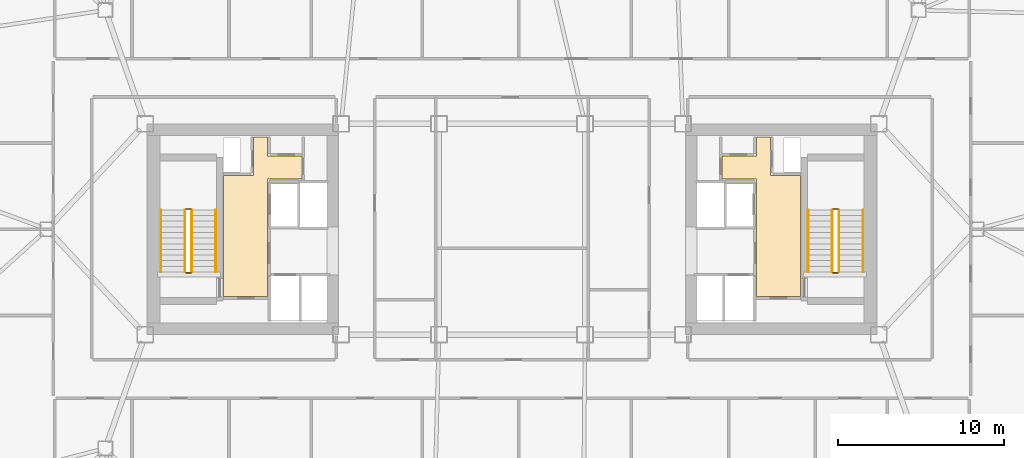
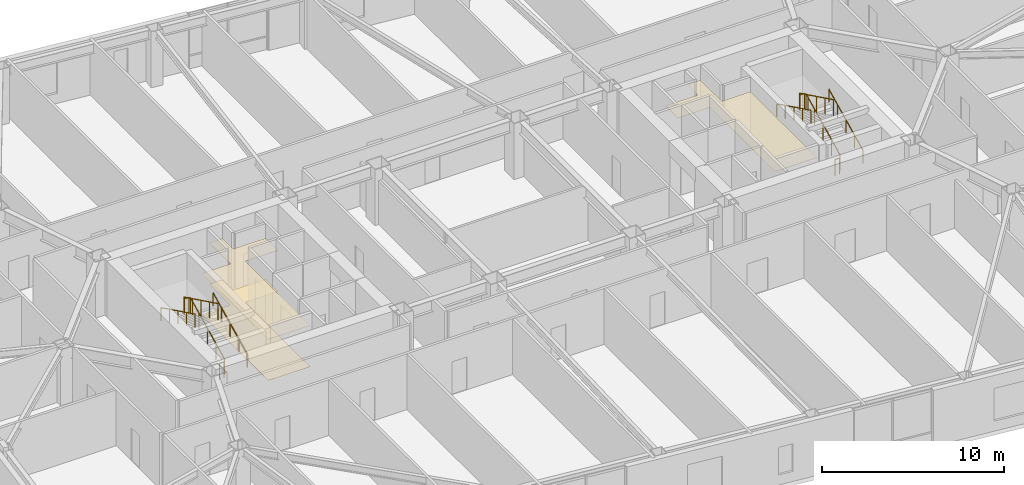
# One storey, part 21 of 21: 12 railings, 3 coverings.
"""IFC4 building model written with IfcOpenShell, lengths in metres."""

from ifc_helpers import new_model, si_unit, direction, frame, origin, origin_2d, place, context, subcontext, project, spatial, polyline, rectangle, outline, extrude, material, layer, layer_set, type_object, element, save


model = new_model("IFC4")

# Units and contexts
model_context = context("Model", 3, precision=1e-05, world=origin(), true_north=direction((0.0, 1.0)))
body_context = subcontext(model_context, "Body", "Model", "MODEL_VIEW")
ifc_project = project(units=[si_unit("LENGTHUNIT", "METRE"), si_unit("AREAUNIT", "SQUARE_METRE"), si_unit("VOLUMEUNIT", "CUBIC_METRE"), si_unit("PLANEANGLEUNIT", "RADIAN"), si_unit("MASSUNIT", "GRAM", prefix="KILO")], contexts=[model_context])

# Site, building, storey
site_placement = place(None, origin())
site = spatial("IfcSite", under=ifc_project, at=site_placement, CompositionType="ELEMENT")
building_placement = place(site_placement, origin())
building = spatial("IfcBuilding", under=site, at=building_placement, Name="Tavrogorsk Clinical Tower", CompositionType="ELEMENT")
storey_placement = place(building_placement, frame((0.0, 0.0, 129.39990234375)))
storey = spatial("IfcBuildingStorey", under=building, at=storey_placement, Name="L29", CompositionType="ELEMENT", Elevation=129.39990234375)

# Coverings
ifc_material_1 = material(Name="Antibacterial micro-perforated aluminium ceiling", Category="aluminium")
ifc_layer_1 = layer(ifc_material_1, 0.014892578125)
ifc_layer_set_1 = layer_set([ifc_layer_1], Name="Antibacterial micro-perforated aluminium ceiling")
covering_type_1 = type_object("IfcCoveringType", Name="ClinicalCeiling_15", PredefinedType="CEILING", material=ifc_layer_set_1)
covering_1_placement = place(storey_placement, frame((0.0, 0.0, 2.75)))
element("IfcCovering", 1, at=covering_1_placement, inside=storey, type_object=covering_type_1, Name="Core West Firefighting Lift Lobby Acoustic Ceiling", PredefinedType="CEILING", context=body_context, shape_type="SweptSolid", body=[
    extrude(outline(polyline([(-17.3798828125, -4.06005859375), (-17.3798828125, 3.239990234375), (-15.56005859375, 3.239990234375), (-15.56005859375, 5.56005859375), (-14.719970703125, 5.56005859375), (-14.719970703125, 4.39990234375), (-12.659912109375, 4.39990234375), (-12.659912109375, 3.0400390625), (-14.719970703125, 3.0400390625), (-14.719970703125, -4.06005859375), (-17.3798828125, -4.06005859375)])), origin(), (0.0, 0.0, 1.0), 0.01513671875),
])
covering_2_placement = place(storey_placement, frame((0.0, 0.0, 2.75)))
element("IfcCovering", 2, at=covering_2_placement, inside=storey, type_object=covering_type_1, Name="Core East Firefighting Lift Lobby Acoustic Ceiling", PredefinedType="CEILING", context=body_context, shape_type="SweptSolid", body=[
    extrude(outline(polyline([(14.719970703125, 3.0400390625), (12.659912109375, 3.0400390625), (12.659912109375, 4.39990234375), (14.719970703125, 4.39990234375), (14.719970703125, 5.56005859375), (15.56005859375, 5.56005859375), (15.56005859375, 3.239990234375), (17.3798828125, 3.239990234375), (17.3798828125, -4.06005859375), (14.719970703125, -4.06005859375), (14.719970703125, 3.0400390625)])), origin(), (0.0, 0.0, 1.0), 0.01513671875),
])
ifc_material_2 = material(Name="Homogeneous medical conductive PVC flooring")
ifc_layer_2 = layer(ifc_material_2, 0.008056640625)
ifc_layer_set_2 = layer_set([ifc_layer_2], Name="Homogeneous medical conductive PVC flooring")
covering_type_2 = type_object("IfcCoveringType", Name="ResilientVinylFloor_8", PredefinedType="FLOORING", material=ifc_layer_set_2)
covering_3_placement = place(storey_placement, origin())
element("IfcCovering", 3, at=covering_3_placement, inside=storey, type_object=covering_type_2, Name="Core West Firefighting Lift Lobby Conductive Vinyl Flooring", PredefinedType="FLOORING", context=body_context, shape_type="SweptSolid", body=[
    extrude(outline(polyline([(-17.3798828125, -4.06005859375), (-17.3798828125, 3.239990234375), (-15.56005859375, 3.239990234375), (-15.56005859375, 5.56005859375), (-14.719970703125, 5.56005859375), (-14.719970703125, 4.39990234375), (-12.659912109375, 4.39990234375), (-12.659912109375, 3.0400390625), (-14.719970703125, 3.0400390625), (-14.719970703125, -4.06005859375), (-17.3798828125, -4.06005859375)])), origin(), (0.0, 0.0, 1.0), 0.008056640625),
])

# Railings
ifc_material_3 = material(Name="Galvanised steel S355 safety stairwell guard", Category="steel")
ifc_layer_3 = layer(ifc_material_3, 0.06005859375)
ifc_layer_set_3 = layer_set([ifc_layer_3], Name="Galvanised steel S355 safety stairwell guard")
railing_type_1 = type_object("IfcRailingType", Name="StairGuard_1150", PredefinedType="GUARDRAIL", material=ifc_layer_set_3)
railing_1_placement = place(storey_placement, frame((-19.300048828125, -2.574951171875, 0.166748046875)))
element("IfcRailing", 4, at=railing_1_placement, inside=storey, type_object=railing_type_1, Name="L29 ST-W stair guard 1", PredefinedType="GUARDRAIL", context=body_context, shape_type="SweptSolid", body=[
    extrude(rectangle(XDim=0.048095703125, YDim=0.048095703125, at=origin_2d()), frame((0.0, 0.0, 1.076171875), z_axis=(0.0, 0.897927990467, 0.440142390523), x_axis=(-1.0, 0.0, 0.0)), (0.0, 0.0, 1.0), 4.1650390625),
    extrude(rectangle(XDim=0.0419921875, YDim=0.0419921875, at=origin_2d()), origin(), (0.0, 0.0, 1.0), 1.052001953125),
    extrude(rectangle(XDim=0.0419921875, YDim=0.0419921875, at=origin_2d()), frame((0.0, 0.93505859375, 0.458251953125)), (0.0, 0.0, 1.0), 1.052001953125),
    extrude(rectangle(XDim=0.0419921875, YDim=0.0419921875, at=origin_2d()), frame((0.0, 1.8701171875, 0.91650390625)), (0.0, 0.0, 1.0), 1.052001953125),
    extrude(rectangle(XDim=0.0419921875, YDim=0.0419921875, at=origin_2d()), frame((0.0, 2.804931640625, 1.375)), (0.0, 0.0, 1.0), 1.052001953125),
    extrude(rectangle(XDim=0.0419921875, YDim=0.0419921875, at=origin_2d()), frame((0.0, 3.739990234375, 1.833251953125)), (0.0, 0.0, 1.0), 1.052001953125),
])
railing_2_placement = place(storey_placement, frame((-19.35009765625, 1.215087890625, 2.0)))
element("IfcRailing", 5, at=railing_2_placement, inside=storey, type_object=railing_type_1, Name="L29 ST-W stair guard 2", PredefinedType="GUARDRAIL", context=body_context, shape_type="SweptSolid", body=[
    extrude(rectangle(XDim=0.048095703125, YDim=0.048095703125, at=origin_2d()), frame((0.0, 0.0, 1.076171875), z_axis=(-1.0, 0.0, 0.0), x_axis=(0.0, -1.0, 0.0)), (0.0, 0.0, 1.0), 0.2998046875),
    extrude(rectangle(XDim=0.0419921875, YDim=0.0419921875, at=origin_2d()), origin(), (0.0, 0.0, 1.0), 1.052001953125),
    extrude(rectangle(XDim=0.0419921875, YDim=0.0419921875, at=origin_2d()), frame((-0.2998046875, 0.0, 0.0)), (0.0, 0.0, 1.0), 1.052001953125),
])
railing_3_placement = place(storey_placement, frame((-19.699951171875, 1.1650390625, 2.166748046875)))
element("IfcRailing", 6, at=railing_3_placement, inside=storey, type_object=railing_type_1, Name="L29 ST-W stair guard 3", PredefinedType="GUARDRAIL", context=body_context, shape_type="SweptSolid", body=[
    extrude(rectangle(XDim=0.048095703125, YDim=0.048095703125, at=origin_2d()), frame((0.0, 0.0, 1.076171875), z_axis=(0.0, -0.897927990467, 0.440142390523), x_axis=(1.0, 0.0, 0.0)), (0.0, 0.0, 1.0), 4.1650390625),
    extrude(rectangle(XDim=0.0419921875, YDim=0.0419921875, at=origin_2d()), origin(), (0.0, 0.0, 1.0), 1.052001953125),
    extrude(rectangle(XDim=0.0419921875, YDim=0.0419921875, at=origin_2d()), frame((0.0, -0.93505859375, 0.458251953125)), (0.0, 0.0, 1.0), 1.052001953125),
    extrude(rectangle(XDim=0.0419921875, YDim=0.0419921875, at=origin_2d()), frame((0.0, -1.8701171875, 0.91650390625)), (0.0, 0.0, 1.0), 1.052001953125),
    extrude(rectangle(XDim=0.0419921875, YDim=0.0419921875, at=origin_2d()), frame((0.0, -2.804931640625, 1.375)), (0.0, 0.0, 1.0), 1.052001953125),
    extrude(rectangle(XDim=0.0419921875, YDim=0.0419921875, at=origin_2d()), frame((0.0, -3.739990234375, 1.833251953125)), (0.0, 0.0, 1.0), 1.052001953125),
])
railing_4_placement = place(storey_placement, frame((-19.35009765625, -2.625, 0.0)))
element("IfcRailing", 7, at=railing_4_placement, inside=storey, type_object=railing_type_1, Name="L29 ST-W stair guard 4", PredefinedType="GUARDRAIL", context=body_context, shape_type="SweptSolid", body=[
    extrude(rectangle(XDim=0.048095703125, YDim=0.048095703125, at=origin_2d()), frame((0.0, 0.0, 1.076171875), z_axis=(-1.0, 0.0, 0.0), x_axis=(0.0, -1.0, 0.0)), (0.0, 0.0, 1.0), 0.2998046875),
    extrude(rectangle(XDim=0.0419921875, YDim=0.0419921875, at=origin_2d()), origin(), (0.0, 0.0, 1.0), 1.052001953125),
    extrude(rectangle(XDim=0.0419921875, YDim=0.0419921875, at=origin_2d()), frame((-0.2998046875, 0.0, 0.0)), (0.0, 0.0, 1.0), 1.052001953125),
])
railing_5_placement = place(storey_placement, frame((19.699951171875, -2.574951171875, 0.166748046875)))
element("IfcRailing", 8, at=railing_5_placement, inside=storey, type_object=railing_type_1, Name="L29 ST-E stair guard 1", PredefinedType="GUARDRAIL", context=body_context, shape_type="SweptSolid", body=[
    extrude(rectangle(XDim=0.048095703125, YDim=0.048095703125, at=origin_2d()), frame((0.0, 0.0, 1.076171875), z_axis=(0.0, 0.897927990467, 0.440142390523), x_axis=(-1.0, 0.0, 0.0)), (0.0, 0.0, 1.0), 4.1650390625),
    extrude(rectangle(XDim=0.0419921875, YDim=0.0419921875, at=origin_2d()), origin(), (0.0, 0.0, 1.0), 1.052001953125),
    extrude(rectangle(XDim=0.0419921875, YDim=0.0419921875, at=origin_2d()), frame((0.0, 0.93505859375, 0.458251953125)), (0.0, 0.0, 1.0), 1.052001953125),
    extrude(rectangle(XDim=0.0419921875, YDim=0.0419921875, at=origin_2d()), frame((0.0, 1.8701171875, 0.91650390625)), (0.0, 0.0, 1.0), 1.052001953125),
    extrude(rectangle(XDim=0.0419921875, YDim=0.0419921875, at=origin_2d()), frame((0.0, 2.804931640625, 1.375)), (0.0, 0.0, 1.0), 1.052001953125),
    extrude(rectangle(XDim=0.0419921875, YDim=0.0419921875, at=origin_2d()), frame((0.0, 3.739990234375, 1.833251953125)), (0.0, 0.0, 1.0), 1.052001953125),
])
railing_6_placement = place(storey_placement, frame((19.64990234375, 1.215087890625, 2.0)))
element("IfcRailing", 9, at=railing_6_placement, inside=storey, type_object=railing_type_1, Name="L29 ST-E stair guard 2", PredefinedType="GUARDRAIL", context=body_context, shape_type="SweptSolid", body=[
    extrude(rectangle(XDim=0.048095703125, YDim=0.048095703125, at=origin_2d()), frame((0.0, 0.0, 1.076171875), z_axis=(-1.0, 0.0, 0.0), x_axis=(0.0, -1.0, 0.0)), (0.0, 0.0, 1.0), 0.2998046875),
    extrude(rectangle(XDim=0.0419921875, YDim=0.0419921875, at=origin_2d()), origin(), (0.0, 0.0, 1.0), 1.052001953125),
    extrude(rectangle(XDim=0.0419921875, YDim=0.0419921875, at=origin_2d()), frame((-0.2998046875, 0.0, 0.0)), (0.0, 0.0, 1.0), 1.052001953125),
])
railing_7_placement = place(storey_placement, frame((19.300048828125, 1.1650390625, 2.166748046875)))
element("IfcRailing", 10, at=railing_7_placement, inside=storey, type_object=railing_type_1, Name="L29 ST-E stair guard 3", PredefinedType="GUARDRAIL", context=body_context, shape_type="SweptSolid", body=[
    extrude(rectangle(XDim=0.048095703125, YDim=0.048095703125, at=origin_2d()), frame((0.0, 0.0, 1.076171875), z_axis=(0.0, -0.897927990467, 0.440142390523), x_axis=(1.0, 0.0, 0.0)), (0.0, 0.0, 1.0), 4.1650390625),
    extrude(rectangle(XDim=0.0419921875, YDim=0.0419921875, at=origin_2d()), origin(), (0.0, 0.0, 1.0), 1.052001953125),
    extrude(rectangle(XDim=0.0419921875, YDim=0.0419921875, at=origin_2d()), frame((0.0, -0.93505859375, 0.458251953125)), (0.0, 0.0, 1.0), 1.052001953125),
    extrude(rectangle(XDim=0.0419921875, YDim=0.0419921875, at=origin_2d()), frame((0.0, -1.8701171875, 0.91650390625)), (0.0, 0.0, 1.0), 1.052001953125),
    extrude(rectangle(XDim=0.0419921875, YDim=0.0419921875, at=origin_2d()), frame((0.0, -2.804931640625, 1.375)), (0.0, 0.0, 1.0), 1.052001953125),
    extrude(rectangle(XDim=0.0419921875, YDim=0.0419921875, at=origin_2d()), frame((0.0, -3.739990234375, 1.833251953125)), (0.0, 0.0, 1.0), 1.052001953125),
])
railing_8_placement = place(storey_placement, frame((19.64990234375, -2.625, 0.0)))
element("IfcRailing", 11, at=railing_8_placement, inside=storey, type_object=railing_type_1, Name="L29 ST-E stair guard 4", PredefinedType="GUARDRAIL", context=body_context, shape_type="SweptSolid", body=[
    extrude(rectangle(XDim=0.048095703125, YDim=0.048095703125, at=origin_2d()), frame((0.0, 0.0, 1.076171875), z_axis=(-1.0, 0.0, 0.0), x_axis=(0.0, -1.0, 0.0)), (0.0, 0.0, 1.0), 0.2998046875),
    extrude(rectangle(XDim=0.0419921875, YDim=0.0419921875, at=origin_2d()), origin(), (0.0, 0.0, 1.0), 1.052001953125),
    extrude(rectangle(XDim=0.0419921875, YDim=0.0419921875, at=origin_2d()), frame((-0.2998046875, 0.0, 0.0)), (0.0, 0.0, 1.0), 1.052001953125),
])
ifc_material_4 = material(Name="Stainless steel AISI 304 tubular handrail", Category="steel")
ifc_layer_4 = layer(ifc_material_4, 0.050048828125)
ifc_layer_set_4 = layer_set([ifc_layer_4], Name="Stainless steel AISI 304 tubular handrail")
railing_type_2 = type_object("IfcRailingType", Name="StairHandrail_920", PredefinedType="HANDRAIL", material=ifc_layer_set_4)
railing_9_placement = place(storey_placement, frame((-17.85009765625, -2.574951171875, 0.166748046875)))
element("IfcRailing", 12, at=railing_9_placement, inside=storey, type_object=railing_type_2, Name="L29 ST-W stair handrail 1", PredefinedType="HANDRAIL", context=body_context, shape_type="SweptSolid", body=[
    extrude(rectangle(XDim=0.048095703125, YDim=0.048095703125, at=origin_2d()), frame((0.0, 0.0, 0.8759765625), z_axis=(0.0, 0.897927990467, 0.440142390523), x_axis=(-1.0, 0.0, 0.0)), (0.0, 0.0, 1.0), 4.1650390625),
    extrude(rectangle(XDim=0.0419921875, YDim=0.0419921875, at=origin_2d()), origin(), (0.0, 0.0, 1.0), 0.851806640625),
    extrude(rectangle(XDim=0.0419921875, YDim=0.0419921875, at=origin_2d()), frame((0.0, 0.93505859375, 0.458251953125)), (0.0, 0.0, 1.0), 0.851806640625),
    extrude(rectangle(XDim=0.0419921875, YDim=0.0419921875, at=origin_2d()), frame((0.0, 1.8701171875, 0.91650390625)), (0.0, 0.0, 1.0), 0.851806640625),
    extrude(rectangle(XDim=0.0419921875, YDim=0.0419921875, at=origin_2d()), frame((0.0, 2.804931640625, 1.375)), (0.0, 0.0, 1.0), 0.851806640625),
    extrude(rectangle(XDim=0.0419921875, YDim=0.0419921875, at=origin_2d()), frame((0.0, 3.739990234375, 1.833251953125)), (0.0, 0.0, 1.0), 0.851806640625),
])
railing_10_placement = place(storey_placement, frame((-21.14990234375, 1.1650390625, 2.166748046875)))
element("IfcRailing", 13, at=railing_10_placement, inside=storey, type_object=railing_type_2, Name="L29 ST-W stair handrail 2", PredefinedType="HANDRAIL", context=body_context, shape_type="SweptSolid", body=[
    extrude(rectangle(XDim=0.048095703125, YDim=0.048095703125, at=origin_2d()), frame((0.0, 0.0, 0.8759765625), z_axis=(0.0, -0.897927990467, 0.440142390523), x_axis=(1.0, 0.0, 0.0)), (0.0, 0.0, 1.0), 4.1650390625),
    extrude(rectangle(XDim=0.0419921875, YDim=0.0419921875, at=origin_2d()), origin(), (0.0, 0.0, 1.0), 0.851806640625),
    extrude(rectangle(XDim=0.0419921875, YDim=0.0419921875, at=origin_2d()), frame((0.0, -0.93505859375, 0.458251953125)), (0.0, 0.0, 1.0), 0.851806640625),
    extrude(rectangle(XDim=0.0419921875, YDim=0.0419921875, at=origin_2d()), frame((0.0, -1.8701171875, 0.91650390625)), (0.0, 0.0, 1.0), 0.851806640625),
    extrude(rectangle(XDim=0.0419921875, YDim=0.0419921875, at=origin_2d()), frame((0.0, -2.804931640625, 1.375)), (0.0, 0.0, 1.0), 0.851806640625),
    extrude(rectangle(XDim=0.0419921875, YDim=0.0419921875, at=origin_2d()), frame((0.0, -3.739990234375, 1.833251953125)), (0.0, 0.0, 1.0), 0.851806640625),
])
railing_11_placement = place(storey_placement, frame((21.14990234375, -2.574951171875, 0.166748046875)))
element("IfcRailing", 14, at=railing_11_placement, inside=storey, type_object=railing_type_2, Name="L29 ST-E stair handrail 1", PredefinedType="HANDRAIL", context=body_context, shape_type="SweptSolid", body=[
    extrude(rectangle(XDim=0.048095703125, YDim=0.048095703125, at=origin_2d()), frame((0.0, 0.0, 0.8759765625), z_axis=(0.0, 0.897927990467, 0.440142390523), x_axis=(-1.0, 0.0, 0.0)), (0.0, 0.0, 1.0), 4.1650390625),
    extrude(rectangle(XDim=0.0419921875, YDim=0.0419921875, at=origin_2d()), origin(), (0.0, 0.0, 1.0), 0.851806640625),
    extrude(rectangle(XDim=0.0419921875, YDim=0.0419921875, at=origin_2d()), frame((0.0, 0.93505859375, 0.458251953125)), (0.0, 0.0, 1.0), 0.851806640625),
    extrude(rectangle(XDim=0.0419921875, YDim=0.0419921875, at=origin_2d()), frame((0.0, 1.8701171875, 0.91650390625)), (0.0, 0.0, 1.0), 0.851806640625),
    extrude(rectangle(XDim=0.0419921875, YDim=0.0419921875, at=origin_2d()), frame((0.0, 2.804931640625, 1.375)), (0.0, 0.0, 1.0), 0.851806640625),
    extrude(rectangle(XDim=0.0419921875, YDim=0.0419921875, at=origin_2d()), frame((0.0, 3.739990234375, 1.833251953125)), (0.0, 0.0, 1.0), 0.851806640625),
])
railing_12_placement = place(storey_placement, frame((17.85009765625, 1.1650390625, 2.166748046875)))
element("IfcRailing", 15, at=railing_12_placement, inside=storey, type_object=railing_type_2, Name="L29 ST-E stair handrail 2", PredefinedType="HANDRAIL", context=body_context, shape_type="SweptSolid", body=[
    extrude(rectangle(XDim=0.048095703125, YDim=0.048095703125, at=origin_2d()), frame((0.0, 0.0, 0.8759765625), z_axis=(0.0, -0.897927990467, 0.440142390523), x_axis=(1.0, 0.0, 0.0)), (0.0, 0.0, 1.0), 4.1650390625),
    extrude(rectangle(XDim=0.0419921875, YDim=0.0419921875, at=origin_2d()), origin(), (0.0, 0.0, 1.0), 0.851806640625),
    extrude(rectangle(XDim=0.0419921875, YDim=0.0419921875, at=origin_2d()), frame((0.0, -0.93505859375, 0.458251953125)), (0.0, 0.0, 1.0), 0.851806640625),
    extrude(rectangle(XDim=0.0419921875, YDim=0.0419921875, at=origin_2d()), frame((0.0, -1.8701171875, 0.91650390625)), (0.0, 0.0, 1.0), 0.851806640625),
    extrude(rectangle(XDim=0.0419921875, YDim=0.0419921875, at=origin_2d()), frame((0.0, -2.804931640625, 1.375)), (0.0, 0.0, 1.0), 0.851806640625),
    extrude(rectangle(XDim=0.0419921875, YDim=0.0419921875, at=origin_2d()), frame((0.0, -3.739990234375, 1.833251953125)), (0.0, 0.0, 1.0), 0.851806640625),
])

save(model, "model.ifc")
